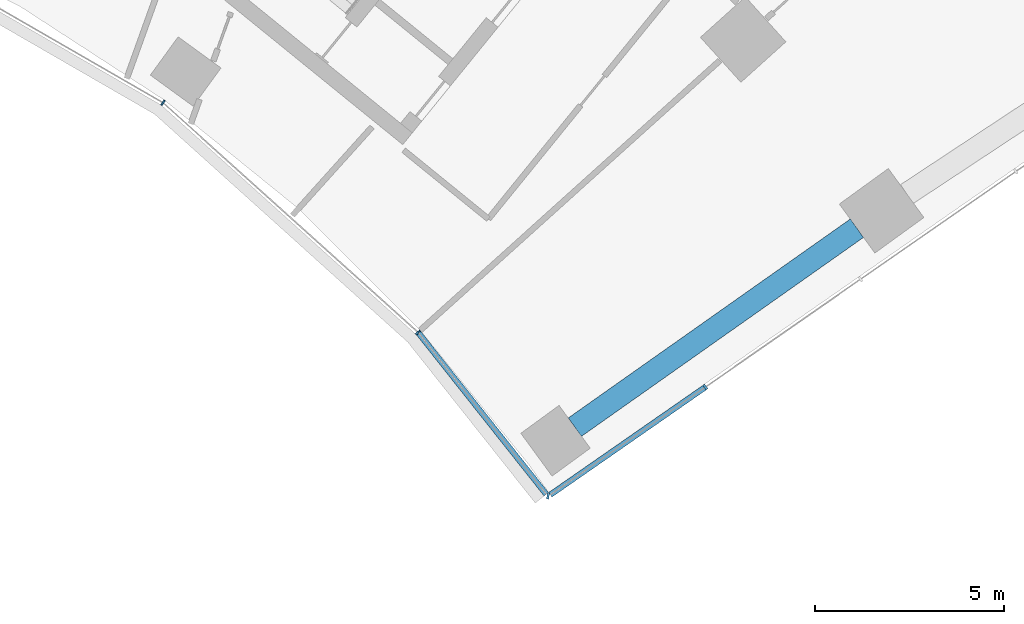
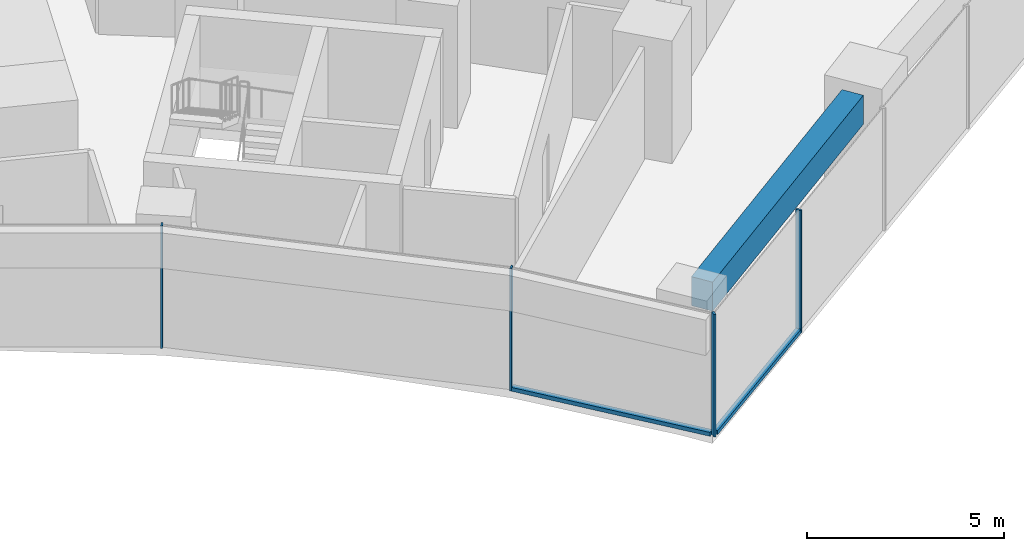
# One storey, part 8 of 21: 6 members, 1 beam, 2 elements without a shape of their own.
"""IFC4 building model written with IfcOpenShell, lengths in metres."""

from ifc_helpers import new_model, si_unit, direction, frame, origin, origin_2d, place, context, subcontext, project, spatial, rectangle, extrude, material, layer, layer_set, material_profile, profile_set, type_object, element, aggregate, save


model = new_model("IFC4")

# Units and contexts
model_context = context("Model", 3, precision=1e-05, world=origin(), true_north=direction((0.0, 1.0)))
body_context = subcontext(model_context, "Body", "Model", "MODEL_VIEW")
ifc_project = project(units=[si_unit("LENGTHUNIT", "METRE"), si_unit("AREAUNIT", "SQUARE_METRE"), si_unit("VOLUMEUNIT", "CUBIC_METRE"), si_unit("PLANEANGLEUNIT", "RADIAN"), si_unit("MASSUNIT", "GRAM", prefix="KILO")], contexts=[model_context])

# Site, building, storey
site_placement = place(None, origin())
site = spatial("IfcSite", under=ifc_project, at=site_placement, CompositionType="ELEMENT")
building_placement = place(site_placement, origin())
building = spatial("IfcBuilding", under=site, at=building_placement, Name="Stone Belt Terrace Tower", CompositionType="ELEMENT")
storey_placement = place(building_placement, frame((0.0, 0.0, 60.39990234375)))
storey = spatial("IfcBuildingStorey", under=building, at=storey_placement, Name="L14", CompositionType="ELEMENT", Elevation=60.39990234375)

# Curtain wall, members
ifc_material_1 = material(Name="Aluminium 6063-T6 anodised frame", Category="aluminium")
ifc_layer_1 = layer(ifc_material_1, 0.14990234375)
ifc_layer_set_1 = layer_set([ifc_layer_1], Name="CW-B unitised concave-face curtain wall")
curtain_wall_type_1 = type_object("IfcCurtainWallType", Name="CW-B unitised concave-face curtain wall", PredefinedType="NOTDEFINED", material=ifc_layer_set_1)
curtain_wall_1_placement = place(storey_placement, origin())
curtain_wall_1 = element("IfcCurtainWall", 1, at=curtain_wall_1_placement, inside=storey, type_object=curtain_wall_type_1, Name="CW-B concave face L14", PredefinedType="NOTDEFINED")
ifc_material_profile_1 = material_profile(ifc_material_1, rectangle(XDim=0.14990234375, YDim=0.050048828125, at=origin_2d()), Name="Aluminium 6063-T6 50x150")
ifc_profile_set_1 = profile_set([ifc_material_profile_1], Name="Aluminium 6063-T6 anodised frame")
member_type_1 = type_object("IfcMemberType", Name="CW-B mullion 50 x 150", PredefinedType="MULLION", material=ifc_profile_set_1)
member_1_placement = place(storey_placement, frame((25.5244140625, 35.13134765625, 0.0), z_axis=(0.0, 0.0, 1.0), x_axis=(0.587785252292, 0.809016994375, 0.0)))
member_1 = element("IfcMember", 2, at=member_1_placement, type_object=member_type_1, Name="CW-B mullion 9", PredefinedType="MULLION", context=body_context, shape_type="SweptSolid", body=[
    extrude(rectangle(XDim=0.14990234375, YDim=0.050048828125, at=origin_2d()), origin(), (0.0, 0.0, 1.0), 3.800048828125),
])
member_2_placement = place(storey_placement, frame((32.27197265625, 29.0556640625, 0.0), z_axis=(0.0, 0.0, 1.0), x_axis=(0.729005355149, 0.684507992768, 0.0)))
member_2 = element("IfcMember", 3, at=member_2_placement, type_object=member_type_1, Name="CW-B mullion 10", PredefinedType="MULLION", context=body_context, shape_type="SweptSolid", body=[
    extrude(rectangle(XDim=0.14990234375, YDim=0.050048828125, at=origin_2d()), origin(), (0.0, 0.0, 1.0), 3.800048828125),
])
ifc_material_profile_2 = material_profile(ifc_material_1, rectangle(XDim=0.14990234375, YDim=0.1201171875, at=origin_2d()), Name="Aluminium 6063-T6 150x120")
ifc_profile_set_2 = profile_set([ifc_material_profile_2], Name="Aluminium 6063-T6 anodised frame")
member_type_2 = type_object("IfcMemberType", Name="CW-B transom 120 x 150", PredefinedType="USERDEFINED", material=ifc_profile_set_2)
member_3_placement = place(storey_placement, frame((32.291259765625, 29.03125, 0.06005859375), z_axis=(0.621067582293, -0.783757014785, 0.0), x_axis=(0.783757014785, 0.621067582293, 0.0)))
member_3 = element("IfcMember", 4, at=member_3_placement, type_object=member_type_2, Name="CW-B transom 10.1", ObjectType="TRANSOM", PredefinedType="USERDEFINED", context=body_context, shape_type="SweptSolid", body=[
    extrude(rectangle(XDim=0.14990234375, YDim=0.1201171875, at=origin_2d()), origin(), (0.0, 0.0, 1.0), 5.435302734375),
])
aggregate(curtain_wall_1, [member_1, member_2, member_3])

ifc_layer_2 = layer(ifc_material_1, 0.14990234375)
ifc_layer_set_2 = layer_set([ifc_layer_2], Name="CW-C stick curtain wall, horn ends and notches")
curtain_wall_type_2 = type_object("IfcCurtainWallType", Name="CW-C stick curtain wall, horn ends and notches", PredefinedType="NOTDEFINED", material=ifc_layer_set_2)
curtain_wall_2_placement = place(storey_placement, origin())
curtain_wall_2 = element("IfcCurtainWall", 5, at=curtain_wall_2_placement, inside=storey, type_object=curtain_wall_type_2, Name="CW-C end face L14", PredefinedType="NOTDEFINED")
ifc_material_profile_3 = material_profile(ifc_material_1, rectangle(XDim=0.14990234375, YDim=0.06005859375, at=origin_2d()), Name="Aluminium 6063-T6 60x150")
ifc_profile_set_3 = profile_set([ifc_material_profile_3], Name="Aluminium 6063-T6 anodised frame")
member_type_3 = type_object("IfcMemberType", Name="CW-C mullion 60 x 150", PredefinedType="MULLION", material=ifc_profile_set_3)
member_4_placement = place(storey_placement, frame((35.710205078125, 24.716552734375, 0.0), z_axis=(0.0, 0.0, 1.0), x_axis=(0.146242262315, 0.989248806273, 0.0)))
member_4 = element("IfcMember", 6, at=member_4_placement, type_object=member_type_3, Name="CW-C mullion 1", PredefinedType="MULLION", context=body_context, shape_type="SweptSolid", body=[
    extrude(rectangle(XDim=0.14990234375, YDim=0.06005859375, at=origin_2d()), origin(), (0.0, 0.0, 1.0), 3.800048828125),
])
member_5_placement = place(storey_placement, frame((39.87451171875, 27.609375, 0.0), z_axis=(0.0, 0.0, 1.0), x_axis=(-0.570537322339, 0.821271674793, 0.0)))
member_5 = element("IfcMember", 7, at=member_5_placement, type_object=member_type_3, Name="CW-C mullion 2", PredefinedType="MULLION", context=body_context, shape_type="SweptSolid", body=[
    extrude(rectangle(XDim=0.14990234375, YDim=0.06005859375, at=origin_2d()), origin(), (0.0, 0.0, 1.0), 3.800048828125),
])
ifc_material_profile_4 = material_profile(ifc_material_1, rectangle(XDim=0.14990234375, YDim=0.1201171875, at=origin_2d()), Name="Aluminium 6063-T6 150x120")
ifc_profile_set_4 = profile_set([ifc_material_profile_4], Name="Aluminium 6063-T6 anodised frame")
member_type_4 = type_object("IfcMemberType", Name="CW-C transom 120 x 150", PredefinedType="USERDEFINED", material=ifc_profile_set_4)
member_6_placement = place(storey_placement, frame((35.7705078125, 24.75830078125, 0.06005859375), z_axis=(0.821265688171, 0.57054593981, 0.0), x_axis=(-0.57054593981, 0.821265688171, 0.0)))
member_6 = element("IfcMember", 8, at=member_6_placement, type_object=member_type_4, Name="CW-C transom 1.1", ObjectType="TRANSOM", PredefinedType="USERDEFINED", context=body_context, shape_type="SweptSolid", body=[
    extrude(rectangle(XDim=0.14990234375, YDim=0.1201171875, at=origin_2d()), origin(), (0.0, 0.0, 1.0), 4.967041015625),
])
aggregate(curtain_wall_2, [member_4, member_5, member_6])

# Beam
ifc_material_2 = material(Name="Concrete B60", Category="concrete")
ifc_material_profile_5 = material_profile(ifc_material_2, rectangle(XDim=0.60009765625, YDim=0.89990234375, at=origin_2d()), Name="RC 600x900")
ifc_profile_set_5 = profile_set([ifc_material_profile_5], Name="Concrete B60")
beam_type = type_object("IfcBeamType", Name="Edge beam RC 600x900 B60", PredefinedType="SPANDREL", material=ifc_profile_set_5)
beam_placement = place(storey_placement, frame((36.420654296875, 26.548583984375, 3.030029296875), z_axis=(0.817201948871, 0.576351433381, 0.0), x_axis=(-0.576351433381, 0.817201948871, 0.0)))
element("IfcBeam", 9, at=beam_placement, inside=storey, type_object=beam_type, Name="Edge beam L14 B P to Q", PredefinedType="SPANDREL", context=body_context, shape_type="SweptSolid", body=[
    extrude(rectangle(XDim=0.60009765625, YDim=0.89990234375, at=origin_2d()), origin(), (0.0, 0.0, 1.0), 9.131103515625),
])

save(model, "model.ifc")
